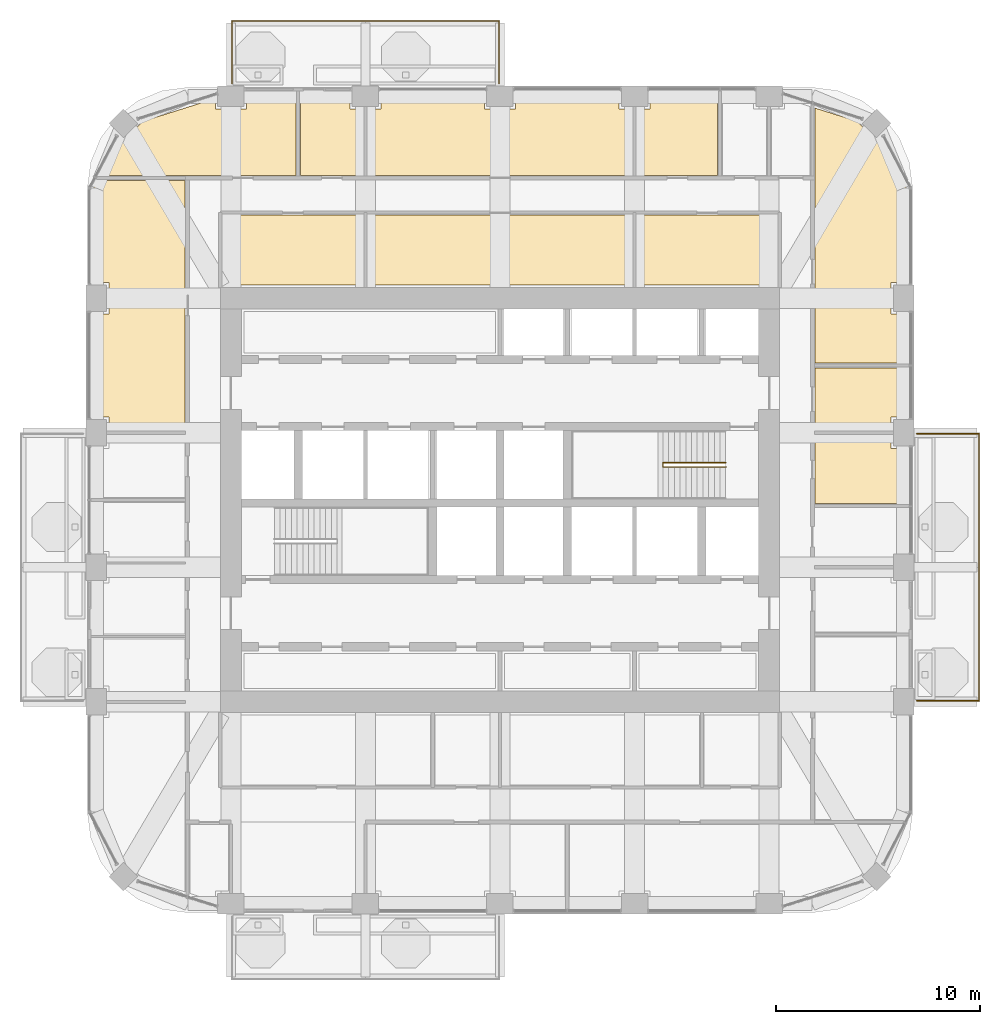
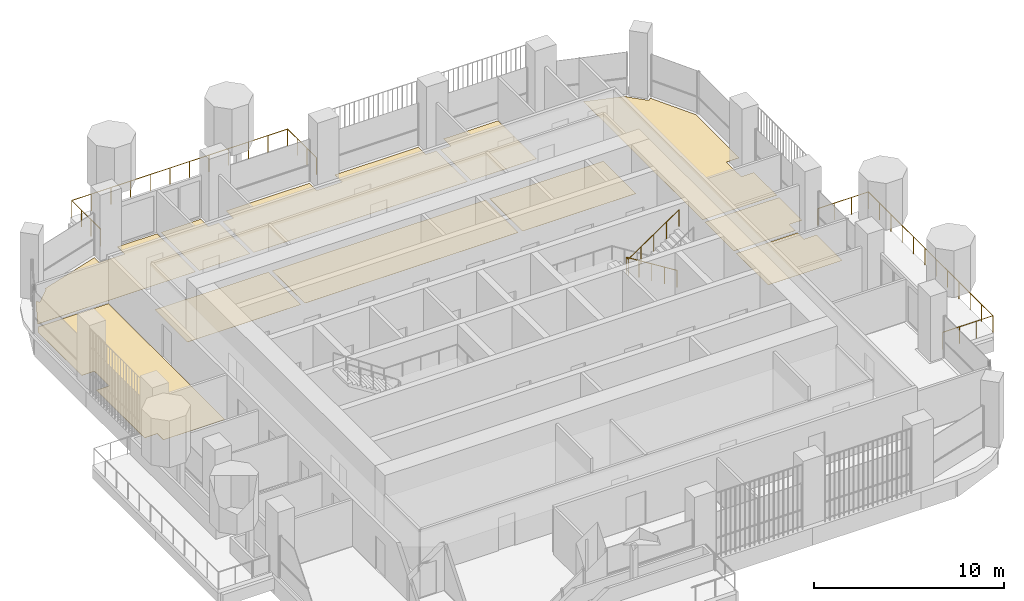
# One storey, part 18 of 20: 11 coverings, 3 railings.
"""IFC4 building model written with IfcOpenShell, lengths in metres."""

from ifc_helpers import new_model, si_unit, direction, frame, origin, place, context, subcontext, project, spatial, polyline, outline, extrude, material, layer, layer_set, type_object, element, save


model = new_model("IFC4")

# Units and contexts
model_context = context("Model", 3, precision=1e-05, world=origin(), true_north=direction((0.0, 1.0)))
body_context = subcontext(model_context, "Body", "Model", "MODEL_VIEW")
ifc_project = project(units=[si_unit("LENGTHUNIT", "METRE"), si_unit("AREAUNIT", "SQUARE_METRE"), si_unit("VOLUMEUNIT", "CUBIC_METRE"), si_unit("PLANEANGLEUNIT", "RADIAN"), si_unit("MASSUNIT", "GRAM", prefix="KILO")], contexts=[model_context])

# Site, building, storey
site_placement = place(None, origin())
site = spatial("IfcSite", under=ifc_project, at=site_placement, CompositionType="ELEMENT")
building_placement = place(site_placement, origin())
building = spatial("IfcBuilding", under=site, at=building_placement, Name="Cobogo Forest Laboratory Tower", CompositionType="ELEMENT")
storey_placement = place(building_placement, frame((0.0, 0.0, 254.39990234375)))
storey = spatial("IfcBuildingStorey", under=building, at=storey_placement, Name="L58", CompositionType="ELEMENT", Elevation=254.39990234375)

# Railings
ifc_material_1 = material(Name="Laminated glass balustrade", Category="glass")
railing_type_1 = type_object("IfcRailingType", Name="BG1 glass balustrade 1100", PredefinedType="GUARDRAIL", material=ifc_material_1)
railing_1_placement = place(storey_placement, frame((46.85009765625, 13.25, 0.0)))
element("IfcRailing", 1, at=railing_1_placement, inside=storey, type_object=railing_type_1, Name="Balcony balustrade BAL-E1 L58", PredefinedType="GUARDRAIL", context=body_context, shape_type="SweptSolid", body=[
    extrude(outline(polyline([(0.022216796875, 0.00927734375), (0.00927734375, 0.022216796875), (-0.00927734375, 0.022216796875), (-0.022216796875, 0.00927734375), (-0.022216796875, -0.00927734375), (-0.00927734375, -0.022216796875), (0.00927734375, -0.022216796875), (0.022216796875, -0.00927734375), (0.022216796875, 0.00927734375)])), frame((0.0, 0.0, 1.077880859375), z_axis=(1.0, 0.0, 0.0), x_axis=(0.0, 1.0, 0.0)), (0.0, 0.0, 1.0), 3.0498046875),
    extrude(outline(polyline([(0.022216796875, 0.00927734375), (0.00927734375, 0.022216796875), (-0.00927734375, 0.022216796875), (-0.022216796875, 0.00927734375), (-0.022216796875, -0.00927734375), (-0.00927734375, -0.022216796875), (0.00927734375, -0.022216796875), (0.022216796875, -0.00927734375), (0.022216796875, 0.00927734375)])), frame((3.0498046875, 0.0, 1.077880859375), z_axis=(0.0, 1.0, 0.0), x_axis=(-1.0, 0.0, 0.0)), (0.0, 0.0, 1.0), 13.10009765625),
    extrude(outline(polyline([(0.022216796875, 0.00927734375), (0.00927734375, 0.022216796875), (-0.00927734375, 0.022216796875), (-0.022216796875, 0.00927734375), (-0.022216796875, -0.00927734375), (-0.00927734375, -0.022216796875), (0.00927734375, -0.022216796875), (0.022216796875, -0.00927734375), (0.022216796875, 0.00927734375)])), frame((3.0498046875, 13.10009765625, 1.077880859375), z_axis=(-1.0, 0.0, 0.0), x_axis=(0.0, -1.0, 0.0)), (0.0, 0.0, 1.0), 3.0498046875),
    extrude(outline(polyline([(0.019287109375, 0.008056640625), (0.008056640625, 0.019287109375), (-0.008056640625, 0.019287109375), (-0.019287109375, 0.008056640625), (-0.019287109375, -0.008056640625), (-0.008056640625, -0.019287109375), (0.008056640625, -0.019287109375), (0.019287109375, -0.008056640625), (0.019287109375, 0.008056640625)])), origin(), (0.0, 0.0, 1.0), 1.077880859375),
    extrude(outline(polyline([(0.019287109375, 0.008056640625), (0.008056640625, 0.019287109375), (-0.008056640625, 0.019287109375), (-0.019287109375, 0.008056640625), (-0.019287109375, -0.008056640625), (-0.008056640625, -0.019287109375), (0.008056640625, -0.019287109375), (0.019287109375, -0.008056640625), (0.019287109375, 0.008056640625)])), frame((1.0166015625, 0.0, 0.0)), (0.0, 0.0, 1.0), 1.077880859375),
    extrude(outline(polyline([(0.019287109375, 0.008056640625), (0.008056640625, 0.019287109375), (-0.008056640625, 0.019287109375), (-0.019287109375, 0.008056640625), (-0.019287109375, -0.008056640625), (-0.008056640625, -0.019287109375), (0.008056640625, -0.019287109375), (0.019287109375, -0.008056640625), (0.019287109375, 0.008056640625)])), frame((2.033203125, 0.0, 0.0)), (0.0, 0.0, 1.0), 1.077880859375),
    extrude(outline(polyline([(0.019287109375, 0.008056640625), (0.008056640625, 0.019287109375), (-0.008056640625, 0.019287109375), (-0.019287109375, 0.008056640625), (-0.019287109375, -0.008056640625), (-0.008056640625, -0.019287109375), (0.008056640625, -0.019287109375), (0.019287109375, -0.008056640625), (0.019287109375, 0.008056640625)])), frame((3.0498046875, 0.0, 0.0)), (0.0, 0.0, 1.0), 1.077880859375),
    extrude(outline(polyline([(0.019287109375, 0.008056640625), (0.008056640625, 0.019287109375), (-0.008056640625, 0.019287109375), (-0.019287109375, 0.008056640625), (-0.019287109375, -0.008056640625), (-0.008056640625, -0.019287109375), (0.008056640625, -0.019287109375), (0.019287109375, -0.008056640625), (0.019287109375, 0.008056640625)])), frame((3.0498046875, 1.19091796875, 0.0)), (0.0, 0.0, 1.0), 1.077880859375),
    extrude(outline(polyline([(0.019287109375, 0.008056640625), (0.008056640625, 0.019287109375), (-0.008056640625, 0.019287109375), (-0.019287109375, 0.008056640625), (-0.019287109375, -0.008056640625), (-0.008056640625, -0.019287109375), (0.008056640625, -0.019287109375), (0.019287109375, -0.008056640625), (0.019287109375, 0.008056640625)])), frame((3.0498046875, 2.3818359375, 0.0)), (0.0, 0.0, 1.0), 1.077880859375),
    extrude(outline(polyline([(0.019287109375, 0.008056640625), (0.008056640625, 0.019287109375), (-0.008056640625, 0.019287109375), (-0.019287109375, 0.008056640625), (-0.019287109375, -0.008056640625), (-0.008056640625, -0.019287109375), (0.008056640625, -0.019287109375), (0.019287109375, -0.008056640625), (0.019287109375, 0.008056640625)])), frame((3.0498046875, 3.57275390625, 0.0)), (0.0, 0.0, 1.0), 1.077880859375),
    extrude(outline(polyline([(0.019287109375, 0.008056640625), (0.008056640625, 0.019287109375), (-0.008056640625, 0.019287109375), (-0.019287109375, 0.008056640625), (-0.019287109375, -0.008056640625), (-0.008056640625, -0.019287109375), (0.008056640625, -0.019287109375), (0.019287109375, -0.008056640625), (0.019287109375, 0.008056640625)])), frame((3.0498046875, 4.763671875, 0.0)), (0.0, 0.0, 1.0), 1.077880859375),
    extrude(outline(polyline([(0.019287109375, 0.008056640625), (0.008056640625, 0.019287109375), (-0.008056640625, 0.019287109375), (-0.019287109375, 0.008056640625), (-0.019287109375, -0.008056640625), (-0.008056640625, -0.019287109375), (0.008056640625, -0.019287109375), (0.019287109375, -0.008056640625), (0.019287109375, 0.008056640625)])), frame((3.0498046875, 5.95458984375, 0.0)), (0.0, 0.0, 1.0), 1.077880859375),
    extrude(outline(polyline([(0.019287109375, 0.008056640625), (0.008056640625, 0.019287109375), (-0.008056640625, 0.019287109375), (-0.019287109375, 0.008056640625), (-0.019287109375, -0.008056640625), (-0.008056640625, -0.019287109375), (0.008056640625, -0.019287109375), (0.019287109375, -0.008056640625), (0.019287109375, 0.008056640625)])), frame((3.0498046875, 7.1455078125, 0.0)), (0.0, 0.0, 1.0), 1.077880859375),
    extrude(outline(polyline([(0.019287109375, 0.008056640625), (0.008056640625, 0.019287109375), (-0.008056640625, 0.019287109375), (-0.019287109375, 0.008056640625), (-0.019287109375, -0.008056640625), (-0.008056640625, -0.019287109375), (0.008056640625, -0.019287109375), (0.019287109375, -0.008056640625), (0.019287109375, 0.008056640625)])), frame((3.0498046875, 8.33642578125, 0.0)), (0.0, 0.0, 1.0), 1.077880859375),
    extrude(outline(polyline([(0.019287109375, 0.008056640625), (0.008056640625, 0.019287109375), (-0.008056640625, 0.019287109375), (-0.019287109375, 0.008056640625), (-0.019287109375, -0.008056640625), (-0.008056640625, -0.019287109375), (0.008056640625, -0.019287109375), (0.019287109375, -0.008056640625), (0.019287109375, 0.008056640625)])), frame((3.0498046875, 9.52734375, 0.0)), (0.0, 0.0, 1.0), 1.077880859375),
    extrude(outline(polyline([(0.019287109375, 0.008056640625), (0.008056640625, 0.019287109375), (-0.008056640625, 0.019287109375), (-0.019287109375, 0.008056640625), (-0.019287109375, -0.008056640625), (-0.008056640625, -0.019287109375), (0.008056640625, -0.019287109375), (0.019287109375, -0.008056640625), (0.019287109375, 0.008056640625)])), frame((3.0498046875, 10.71826171875, 0.0)), (0.0, 0.0, 1.0), 1.077880859375),
    extrude(outline(polyline([(0.019287109375, 0.008056640625), (0.008056640625, 0.019287109375), (-0.008056640625, 0.019287109375), (-0.019287109375, 0.008056640625), (-0.019287109375, -0.008056640625), (-0.008056640625, -0.019287109375), (0.008056640625, -0.019287109375), (0.019287109375, -0.008056640625), (0.019287109375, 0.008056640625)])), frame((3.0498046875, 11.9091796875, 0.0)), (0.0, 0.0, 1.0), 1.077880859375),
    extrude(outline(polyline([(0.019287109375, 0.008056640625), (0.008056640625, 0.019287109375), (-0.008056640625, 0.019287109375), (-0.019287109375, 0.008056640625), (-0.019287109375, -0.008056640625), (-0.008056640625, -0.019287109375), (0.008056640625, -0.019287109375), (0.019287109375, -0.008056640625), (0.019287109375, 0.008056640625)])), frame((3.0498046875, 13.10009765625, 0.0)), (0.0, 0.0, 1.0), 1.077880859375),
    extrude(outline(polyline([(0.019287109375, 0.008056640625), (0.008056640625, 0.019287109375), (-0.008056640625, 0.019287109375), (-0.019287109375, 0.008056640625), (-0.019287109375, -0.008056640625), (-0.008056640625, -0.019287109375), (0.008056640625, -0.019287109375), (0.019287109375, -0.008056640625), (0.019287109375, 0.008056640625)])), frame((2.033203125, 13.10009765625, 0.0)), (0.0, 0.0, 1.0), 1.077880859375),
    extrude(outline(polyline([(0.019287109375, 0.008056640625), (0.008056640625, 0.019287109375), (-0.008056640625, 0.019287109375), (-0.019287109375, 0.008056640625), (-0.019287109375, -0.008056640625), (-0.008056640625, -0.019287109375), (0.008056640625, -0.019287109375), (0.019287109375, -0.008056640625), (0.019287109375, 0.008056640625)])), frame((1.0166015625, 13.10009765625, 0.0)), (0.0, 0.0, 1.0), 1.077880859375),
    extrude(outline(polyline([(0.019287109375, 0.008056640625), (0.008056640625, 0.019287109375), (-0.008056640625, 0.019287109375), (-0.019287109375, 0.008056640625), (-0.019287109375, -0.008056640625), (-0.008056640625, -0.019287109375), (0.008056640625, -0.019287109375), (0.019287109375, -0.008056640625), (0.019287109375, 0.008056640625)])), frame((0.0, 13.10009765625, 0.0)), (0.0, 0.0, 1.0), 1.077880859375),
])
railing_2_placement = place(storey_placement, frame((13.25, 43.550048828125, 0.0)))
element("IfcRailing", 2, at=railing_2_placement, inside=storey, type_object=railing_type_1, Name="Balcony balustrade BAL-N1 L58", PredefinedType="GUARDRAIL", context=body_context, shape_type="SweptSolid", body=[
    extrude(outline(polyline([(0.022216796875, 0.00927734375), (0.00927734375, 0.022216796875), (-0.00927734375, 0.022216796875), (-0.022216796875, 0.00927734375), (-0.022216796875, -0.00927734375), (-0.00927734375, -0.022216796875), (0.00927734375, -0.022216796875), (0.022216796875, -0.00927734375), (0.022216796875, 0.00927734375)])), frame((0.0, 0.0, 1.077880859375), z_axis=(0.0, 1.0, 0.0), x_axis=(-1.0, 0.0, 0.0)), (0.0, 0.0, 1.0), 3.050048828125),
    extrude(outline(polyline([(0.022216796875, 0.00927734375), (0.00927734375, 0.022216796875), (-0.00927734375, 0.022216796875), (-0.022216796875, 0.00927734375), (-0.022216796875, -0.00927734375), (-0.00927734375, -0.022216796875), (0.00927734375, -0.022216796875), (0.022216796875, -0.00927734375), (0.022216796875, 0.00927734375)])), frame((0.0, 3.050048828125, 1.077880859375), z_axis=(1.0, 0.0, 0.0), x_axis=(0.0, 1.0, 0.0)), (0.0, 0.0, 1.0), 13.10009765625),
    extrude(outline(polyline([(0.022216796875, 0.00927734375), (0.00927734375, 0.022216796875), (-0.00927734375, 0.022216796875), (-0.022216796875, 0.00927734375), (-0.022216796875, -0.00927734375), (-0.00927734375, -0.022216796875), (0.00927734375, -0.022216796875), (0.022216796875, -0.00927734375), (0.022216796875, 0.00927734375)])), frame((13.10009765625, 3.050048828125, 1.077880859375), z_axis=(0.0, -1.0, 0.0), x_axis=(1.0, 0.0, 0.0)), (0.0, 0.0, 1.0), 3.050048828125),
    extrude(outline(polyline([(0.019287109375, 0.008056640625), (0.008056640625, 0.019287109375), (-0.008056640625, 0.019287109375), (-0.019287109375, 0.008056640625), (-0.019287109375, -0.008056640625), (-0.008056640625, -0.019287109375), (0.008056640625, -0.019287109375), (0.019287109375, -0.008056640625), (0.019287109375, 0.008056640625)])), origin(), (0.0, 0.0, 1.0), 1.077880859375),
    extrude(outline(polyline([(0.019287109375, 0.008056640625), (0.008056640625, 0.019287109375), (-0.008056640625, 0.019287109375), (-0.019287109375, 0.008056640625), (-0.019287109375, -0.008056640625), (-0.008056640625, -0.019287109375), (0.008056640625, -0.019287109375), (0.019287109375, -0.008056640625), (0.019287109375, 0.008056640625)])), frame((0.0, 1.0166015625, 0.0)), (0.0, 0.0, 1.0), 1.077880859375),
    extrude(outline(polyline([(0.019287109375, 0.008056640625), (0.008056640625, 0.019287109375), (-0.008056640625, 0.019287109375), (-0.019287109375, 0.008056640625), (-0.019287109375, -0.008056640625), (-0.008056640625, -0.019287109375), (0.008056640625, -0.019287109375), (0.019287109375, -0.008056640625), (0.019287109375, 0.008056640625)])), frame((0.0, 2.033447265625, 0.0)), (0.0, 0.0, 1.0), 1.077880859375),
    extrude(outline(polyline([(0.019287109375, 0.008056640625), (0.008056640625, 0.019287109375), (-0.008056640625, 0.019287109375), (-0.019287109375, 0.008056640625), (-0.019287109375, -0.008056640625), (-0.008056640625, -0.019287109375), (0.008056640625, -0.019287109375), (0.019287109375, -0.008056640625), (0.019287109375, 0.008056640625)])), frame((0.0, 3.050048828125, 0.0)), (0.0, 0.0, 1.0), 1.077880859375),
    extrude(outline(polyline([(0.019287109375, 0.008056640625), (0.008056640625, 0.019287109375), (-0.008056640625, 0.019287109375), (-0.019287109375, 0.008056640625), (-0.019287109375, -0.008056640625), (-0.008056640625, -0.019287109375), (0.008056640625, -0.019287109375), (0.019287109375, -0.008056640625), (0.019287109375, 0.008056640625)])), frame((1.19091796875, 3.050048828125, 0.0)), (0.0, 0.0, 1.0), 1.077880859375),
    extrude(outline(polyline([(0.019287109375, 0.008056640625), (0.008056640625, 0.019287109375), (-0.008056640625, 0.019287109375), (-0.019287109375, 0.008056640625), (-0.019287109375, -0.008056640625), (-0.008056640625, -0.019287109375), (0.008056640625, -0.019287109375), (0.019287109375, -0.008056640625), (0.019287109375, 0.008056640625)])), frame((2.3818359375, 3.050048828125, 0.0)), (0.0, 0.0, 1.0), 1.077880859375),
    extrude(outline(polyline([(0.019287109375, 0.008056640625), (0.008056640625, 0.019287109375), (-0.008056640625, 0.019287109375), (-0.019287109375, 0.008056640625), (-0.019287109375, -0.008056640625), (-0.008056640625, -0.019287109375), (0.008056640625, -0.019287109375), (0.019287109375, -0.008056640625), (0.019287109375, 0.008056640625)])), frame((3.57275390625, 3.050048828125, 0.0)), (0.0, 0.0, 1.0), 1.077880859375),
    extrude(outline(polyline([(0.019287109375, 0.008056640625), (0.008056640625, 0.019287109375), (-0.008056640625, 0.019287109375), (-0.019287109375, 0.008056640625), (-0.019287109375, -0.008056640625), (-0.008056640625, -0.019287109375), (0.008056640625, -0.019287109375), (0.019287109375, -0.008056640625), (0.019287109375, 0.008056640625)])), frame((4.763671875, 3.050048828125, 0.0)), (0.0, 0.0, 1.0), 1.077880859375),
    extrude(outline(polyline([(0.019287109375, 0.008056640625), (0.008056640625, 0.019287109375), (-0.008056640625, 0.019287109375), (-0.019287109375, 0.008056640625), (-0.019287109375, -0.008056640625), (-0.008056640625, -0.019287109375), (0.008056640625, -0.019287109375), (0.019287109375, -0.008056640625), (0.019287109375, 0.008056640625)])), frame((5.95458984375, 3.050048828125, 0.0)), (0.0, 0.0, 1.0), 1.077880859375),
    extrude(outline(polyline([(0.019287109375, 0.008056640625), (0.008056640625, 0.019287109375), (-0.008056640625, 0.019287109375), (-0.019287109375, 0.008056640625), (-0.019287109375, -0.008056640625), (-0.008056640625, -0.019287109375), (0.008056640625, -0.019287109375), (0.019287109375, -0.008056640625), (0.019287109375, 0.008056640625)])), frame((7.1455078125, 3.050048828125, 0.0)), (0.0, 0.0, 1.0), 1.077880859375),
    extrude(outline(polyline([(0.019287109375, 0.008056640625), (0.008056640625, 0.019287109375), (-0.008056640625, 0.019287109375), (-0.019287109375, 0.008056640625), (-0.019287109375, -0.008056640625), (-0.008056640625, -0.019287109375), (0.008056640625, -0.019287109375), (0.019287109375, -0.008056640625), (0.019287109375, 0.008056640625)])), frame((8.33642578125, 3.050048828125, 0.0)), (0.0, 0.0, 1.0), 1.077880859375),
    extrude(outline(polyline([(0.019287109375, 0.008056640625), (0.008056640625, 0.019287109375), (-0.008056640625, 0.019287109375), (-0.019287109375, 0.008056640625), (-0.019287109375, -0.008056640625), (-0.008056640625, -0.019287109375), (0.008056640625, -0.019287109375), (0.019287109375, -0.008056640625), (0.019287109375, 0.008056640625)])), frame((9.52734375, 3.050048828125, 0.0)), (0.0, 0.0, 1.0), 1.077880859375),
    extrude(outline(polyline([(0.019287109375, 0.008056640625), (0.008056640625, 0.019287109375), (-0.008056640625, 0.019287109375), (-0.019287109375, 0.008056640625), (-0.019287109375, -0.008056640625), (-0.008056640625, -0.019287109375), (0.008056640625, -0.019287109375), (0.019287109375, -0.008056640625), (0.019287109375, 0.008056640625)])), frame((10.71826171875, 3.050048828125, 0.0)), (0.0, 0.0, 1.0), 1.077880859375),
    extrude(outline(polyline([(0.019287109375, 0.008056640625), (0.008056640625, 0.019287109375), (-0.008056640625, 0.019287109375), (-0.019287109375, 0.008056640625), (-0.019287109375, -0.008056640625), (-0.008056640625, -0.019287109375), (0.008056640625, -0.019287109375), (0.019287109375, -0.008056640625), (0.019287109375, 0.008056640625)])), frame((11.9091796875, 3.050048828125, 0.0)), (0.0, 0.0, 1.0), 1.077880859375),
    extrude(outline(polyline([(0.019287109375, 0.008056640625), (0.008056640625, 0.019287109375), (-0.008056640625, 0.019287109375), (-0.019287109375, 0.008056640625), (-0.019287109375, -0.008056640625), (-0.008056640625, -0.019287109375), (0.008056640625, -0.019287109375), (0.019287109375, -0.008056640625), (0.019287109375, 0.008056640625)])), frame((13.10009765625, 3.050048828125, 0.0)), (0.0, 0.0, 1.0), 1.077880859375),
    extrude(outline(polyline([(0.019287109375, 0.008056640625), (0.008056640625, 0.019287109375), (-0.008056640625, 0.019287109375), (-0.019287109375, 0.008056640625), (-0.019287109375, -0.008056640625), (-0.008056640625, -0.019287109375), (0.008056640625, -0.019287109375), (0.019287109375, -0.008056640625), (0.019287109375, 0.008056640625)])), frame((13.10009765625, 2.033447265625, 0.0)), (0.0, 0.0, 1.0), 1.077880859375),
    extrude(outline(polyline([(0.019287109375, 0.008056640625), (0.008056640625, 0.019287109375), (-0.008056640625, 0.019287109375), (-0.019287109375, 0.008056640625), (-0.019287109375, -0.008056640625), (-0.008056640625, -0.019287109375), (0.008056640625, -0.019287109375), (0.019287109375, -0.008056640625), (0.019287109375, 0.008056640625)])), frame((13.10009765625, 1.0166015625, 0.0)), (0.0, 0.0, 1.0), 1.077880859375),
    extrude(outline(polyline([(0.019287109375, 0.008056640625), (0.008056640625, 0.019287109375), (-0.008056640625, 0.019287109375), (-0.019287109375, 0.008056640625), (-0.019287109375, -0.008056640625), (-0.008056640625, -0.019287109375), (0.008056640625, -0.019287109375), (0.019287109375, -0.008056640625), (0.019287109375, 0.008056640625)])), frame((13.10009765625, 0.0, 0.0)), (0.0, 0.0, 1.0), 1.077880859375),
])

# Coverings
ifc_material_2 = material(Name="Carpet tile on raised access floor", Category="flooring")
ifc_layer_1 = layer(ifc_material_2, 0.008056640625)
ifc_layer_set_1 = layer_set([ifc_layer_1], Name="CT1 carpet tile floor 8")
covering_type_1 = type_object("IfcCoveringType", Name="CT1 carpet tile floor 8", PredefinedType="FLOORING", material=ifc_layer_set_1)
covering_1_placement = place(storey_placement, origin())
element("IfcCovering", 3, at=covering_1_placement, inside=storey, type_object=covering_type_1, Name="Carpet floor L58-01", PredefinedType="FLOORING", context=body_context, shape_type="SweptSolid", body=[
    extrude(outline(polyline([(19.679931640625, 33.64501953125), (12.794921875, 33.64501953125), (12.794921875, 37.080078125), (19.679931640625, 37.080078125), (19.679931640625, 33.64501953125)])), origin(), (0.0, 0.0, 1.0), 0.008056640625),
])
covering_2_placement = place(storey_placement, origin())
element("IfcCovering", 4, at=covering_2_placement, inside=storey, type_object=covering_type_1, Name="Carpet floor L58-02", PredefinedType="FLOORING", context=body_context, shape_type="SweptSolid", body=[
    extrude(outline(polyline([(32.8798828125, 33.64501953125), (19.919921875, 33.64501953125), (19.919921875, 37.080078125), (32.8798828125, 37.080078125), (32.8798828125, 33.64501953125)])), origin(), (0.0, 0.0, 1.0), 0.008056640625),
])
covering_3_placement = place(storey_placement, origin())
element("IfcCovering", 5, at=covering_3_placement, inside=storey, type_object=covering_type_1, Name="Carpet floor L58-03", PredefinedType="FLOORING", context=body_context, shape_type="SweptSolid", body=[
    extrude(outline(polyline([(40.0048828125, 33.64501953125), (33.1201171875, 33.64501953125), (33.1201171875, 37.080078125), (40.0048828125, 37.080078125), (40.0048828125, 33.64501953125)])), origin(), (0.0, 0.0, 1.0), 0.008056640625),
])
covering_4_placement = place(storey_placement, origin())
element("IfcCovering", 6, at=covering_4_placement, inside=storey, type_object=covering_type_1, Name="Carpet floor L58-17", PredefinedType="FLOORING", context=body_context, shape_type="SweptSolid", body=[
    extrude(outline(polyline([(6.80078125, 39.02001953125), (7.7646484375, 40.858642578125), (7.91796875, 40.705078125), (8.794921875, 41.58203125), (8.743896484375, 41.633056640625), (12.429931640625, 42.797119140625), (12.429931640625, 42.280029296875), (13.969970703125, 42.280029296875), (13.969970703125, 43.050048828125), (16.3798828125, 43.050048828125), (16.3798828125, 39.02001953125), (6.80078125, 39.02001953125)])), origin(), (0.0, 0.0, 1.0), 0.008056640625),
])
covering_5_placement = place(storey_placement, origin())
element("IfcCovering", 7, at=covering_5_placement, inside=storey, type_object=covering_type_1, Name="Carpet floor L58-18", PredefinedType="FLOORING", context=body_context, shape_type="SweptSolid", body=[
    extrude(outline(polyline([(16.6201171875, 39.02001953125), (16.6201171875, 43.050048828125), (19.030029296875, 43.050048828125), (19.030029296875, 42.280029296875), (19.679931640625, 42.280029296875), (19.679931640625, 39.02001953125), (16.6201171875, 39.02001953125)])), origin(), (0.0, 0.0, 1.0), 0.008056640625),
])
covering_6_placement = place(storey_placement, origin())
element("IfcCovering", 8, at=covering_6_placement, inside=storey, type_object=covering_type_1, Name="Carpet floor L58-19", PredefinedType="FLOORING", context=body_context, shape_type="SweptSolid", body=[
    extrude(outline(polyline([(19.919921875, 39.02001953125), (19.919921875, 42.280029296875), (20.570068359375, 42.280029296875), (20.570068359375, 43.050048828125), (25.6298828125, 43.050048828125), (25.6298828125, 42.280029296875), (27.169921875, 42.280029296875), (27.169921875, 43.050048828125), (32.22998046875, 43.050048828125), (32.22998046875, 42.280029296875), (32.8798828125, 42.280029296875), (32.8798828125, 39.02001953125), (19.919921875, 39.02001953125)])), origin(), (0.0, 0.0, 1.0), 0.008056640625),
])
covering_7_placement = place(storey_placement, origin())
element("IfcCovering", 9, at=covering_7_placement, inside=storey, type_object=covering_type_1, Name="Carpet floor L58-20", PredefinedType="FLOORING", context=body_context, shape_type="SweptSolid", body=[
    extrude(outline(polyline([(33.1201171875, 39.02001953125), (33.1201171875, 42.280029296875), (33.77001953125, 42.280029296875), (33.77001953125, 43.050048828125), (37.080078125, 43.050048828125), (37.080078125, 39.02001953125), (33.1201171875, 39.02001953125)])), origin(), (0.0, 0.0, 1.0), 0.008056640625),
])
covering_8_placement = place(storey_placement, origin())
element("IfcCovering", 10, at=covering_8_placement, inside=storey, type_object=covering_type_1, Name="Carpet floor L58-28", PredefinedType="FLOORING", context=body_context, shape_type="SweptSolid", body=[
    extrude(outline(polyline([(10.955078125, 26.52001953125), (7.219970703125, 26.52001953125), (7.219970703125, 27.169921875), (6.449951171875, 27.169921875), (6.449951171875, 32.22998046875), (7.219970703125, 32.22998046875), (7.219970703125, 33.77001953125), (6.449951171875, 33.77001953125), (6.449951171875, 38.350830078125), (6.675048828125, 38.780029296875), (10.955078125, 38.780029296875), (10.955078125, 26.52001953125)])), origin(), (0.0, 0.0, 1.0), 0.008056640625),
])

# Railing
ifc_material_3 = material(Name="Steel balustrade", Category="steel")
railing_type_2 = type_object("IfcRailingType", Name="GR stair guard 1100", PredefinedType="GUARDRAIL", material=ifc_material_3)
railing_3_placement = place(storey_placement, frame((37.47509765625, 24.929931640625, 0.175048828125)))
element("IfcRailing", 11, at=railing_3_placement, inside=storey, type_object=railing_type_2, Name="Stair guard ST2 L58", PredefinedType="GUARDRAIL", context=body_context, shape_type="SweptSolid", body=[
    extrude(outline(polyline([(0.022216796875, 0.00927734375), (0.00927734375, 0.022216796875), (-0.00927734375, 0.022216796875), (-0.022216796875, 0.00927734375), (-0.022216796875, -0.00927734375), (-0.00927734375, -0.022216796875), (0.00927734375, -0.022216796875), (0.022216796875, -0.00927734375), (0.022216796875, 0.00927734375)])), frame((0.0, 0.0, 1.077880859375), z_axis=(-0.847998304005, 0.0, 0.529998940003), x_axis=(0.0, -1.0, 0.0)), (0.0, 0.0, 1.0), 3.632080078125),
    extrude(outline(polyline([(0.022216796875, 0.00927734375), (0.00927734375, 0.022216796875), (-0.00927734375, 0.022216796875), (-0.022216796875, 0.00927734375), (-0.022216796875, -0.00927734375), (-0.00927734375, -0.022216796875), (0.00927734375, -0.022216796875), (0.022216796875, -0.00927734375), (0.022216796875, 0.00927734375)])), frame((-3.080078125, 0.0, 3.0029296875), z_axis=(0.0, -1.0, 0.0), x_axis=(1.0, 0.0, 0.0)), (0.0, 0.0, 1.0), 0.2099609375),
    extrude(outline(polyline([(0.022216796875, 0.00927734375), (0.00927734375, 0.022216796875), (-0.00927734375, 0.022216796875), (-0.022216796875, 0.00927734375), (-0.022216796875, -0.00927734375), (-0.00927734375, -0.022216796875), (0.00927734375, -0.022216796875), (0.022216796875, -0.00927734375), (0.022216796875, 0.00927734375)])), frame((-3.080078125, -0.2099609375, 3.0029296875), z_axis=(0.826221800596, 0.0, 0.563344953133), x_axis=(0.0, 1.0, 0.0)), (0.0, 0.0, 1.0), 3.72802734375),
    extrude(outline(polyline([(0.019287109375, 0.008056640625), (0.008056640625, 0.019287109375), (-0.008056640625, 0.019287109375), (-0.019287109375, 0.008056640625), (-0.019287109375, -0.008056640625), (-0.008056640625, -0.019287109375), (0.008056640625, -0.019287109375), (0.019287109375, -0.008056640625), (0.019287109375, 0.008056640625)])), origin(), (0.0, 0.0, 1.0), 1.077880859375),
    extrude(outline(polyline([(0.019287109375, 0.008056640625), (0.008056640625, 0.019287109375), (-0.008056640625, 0.019287109375), (-0.019287109375, 0.008056640625), (-0.019287109375, -0.008056640625), (-0.008056640625, -0.019287109375), (0.008056640625, -0.019287109375), (0.019287109375, -0.008056640625), (0.019287109375, 0.008056640625)])), frame((-0.77001953125, 0.0, 0.481201171875)), (0.0, 0.0, 1.0), 1.077880859375),
    extrude(outline(polyline([(0.019287109375, 0.008056640625), (0.008056640625, 0.019287109375), (-0.008056640625, 0.019287109375), (-0.019287109375, 0.008056640625), (-0.019287109375, -0.008056640625), (-0.008056640625, -0.019287109375), (0.008056640625, -0.019287109375), (0.019287109375, -0.008056640625), (0.019287109375, 0.008056640625)])), frame((-1.5400390625, 0.0, 0.96240234375)), (0.0, 0.0, 1.0), 1.077880859375),
    extrude(outline(polyline([(0.019287109375, 0.008056640625), (0.008056640625, 0.019287109375), (-0.008056640625, 0.019287109375), (-0.019287109375, 0.008056640625), (-0.019287109375, -0.008056640625), (-0.008056640625, -0.019287109375), (0.008056640625, -0.019287109375), (0.019287109375, -0.008056640625), (0.019287109375, 0.008056640625)])), frame((-2.31005859375, 0.0, 1.44384765625)), (0.0, 0.0, 1.0), 1.077880859375),
    extrude(outline(polyline([(0.019287109375, 0.008056640625), (0.008056640625, 0.019287109375), (-0.008056640625, 0.019287109375), (-0.019287109375, 0.008056640625), (-0.019287109375, -0.008056640625), (-0.008056640625, -0.019287109375), (0.008056640625, -0.019287109375), (0.019287109375, -0.008056640625), (0.019287109375, 0.008056640625)])), frame((-3.080078125, 0.0, 1.925048828125)), (0.0, 0.0, 1.0), 1.077880859375),
    extrude(outline(polyline([(0.019287109375, 0.008056640625), (0.008056640625, 0.019287109375), (-0.008056640625, 0.019287109375), (-0.019287109375, 0.008056640625), (-0.019287109375, -0.008056640625), (-0.008056640625, -0.019287109375), (0.008056640625, -0.019287109375), (0.019287109375, -0.008056640625), (0.019287109375, 0.008056640625)])), frame((-3.080078125, -0.2099609375, 1.925048828125)), (0.0, 0.0, 1.0), 1.077880859375),
    extrude(outline(polyline([(0.019287109375, 0.008056640625), (0.008056640625, 0.019287109375), (-0.008056640625, 0.019287109375), (-0.019287109375, 0.008056640625), (-0.019287109375, -0.008056640625), (-0.008056640625, -0.019287109375), (0.008056640625, -0.019287109375), (0.019287109375, -0.008056640625), (0.019287109375, 0.008056640625)])), frame((-2.31005859375, -0.2099609375, 2.4501953125)), (0.0, 0.0, 1.0), 1.077880859375),
    extrude(outline(polyline([(0.019287109375, 0.008056640625), (0.008056640625, 0.019287109375), (-0.008056640625, 0.019287109375), (-0.019287109375, 0.008056640625), (-0.019287109375, -0.008056640625), (-0.008056640625, -0.019287109375), (0.008056640625, -0.019287109375), (0.019287109375, -0.008056640625), (0.019287109375, 0.008056640625)])), frame((-1.5400390625, -0.2099609375, 2.97509765625)), (0.0, 0.0, 1.0), 1.077880859375),
    extrude(outline(polyline([(0.019287109375, 0.008056640625), (0.008056640625, 0.019287109375), (-0.008056640625, 0.019287109375), (-0.019287109375, 0.008056640625), (-0.019287109375, -0.008056640625), (-0.008056640625, -0.019287109375), (0.008056640625, -0.019287109375), (0.019287109375, -0.008056640625), (0.019287109375, 0.008056640625)])), frame((-0.77001953125, -0.2099609375, 3.5)), (0.0, 0.0, 1.0), 1.077880859375),
    extrude(outline(polyline([(0.019287109375, 0.008056640625), (0.008056640625, 0.019287109375), (-0.008056640625, 0.019287109375), (-0.019287109375, 0.008056640625), (-0.019287109375, -0.008056640625), (-0.008056640625, -0.019287109375), (0.008056640625, -0.019287109375), (0.019287109375, -0.008056640625), (0.019287109375, 0.008056640625)])), frame((0.0, -0.2099609375, 4.025146484375)), (0.0, 0.0, 1.0), 1.077880859375),
])

# Coverings
ifc_material_4 = material(Name="Epoxy resin flooring", Category="flooring")
ifc_layer_2 = layer(ifc_material_4, 0.00390625)
ifc_layer_set_2 = layer_set([ifc_layer_2], Name="LF1 epoxy laboratory floor 4")
covering_type_2 = type_object("IfcCoveringType", Name="LF1 epoxy laboratory floor 4", PredefinedType="FLOORING", material=ifc_layer_set_2)
covering_9_placement = place(storey_placement, origin())
element("IfcCovering", 12, at=covering_9_placement, inside=storey, type_object=covering_type_2, Name="Epoxy laboratory floor L58-15", PredefinedType="FLOORING", context=body_context, shape_type="SweptSolid", body=[
    extrude(outline(polyline([(41.844970703125, 29.580078125), (46.35009765625, 29.580078125), (46.35009765625, 27.169921875), (45.580078125, 27.169921875), (45.580078125, 26.52001953125), (41.844970703125, 26.52001953125), (41.844970703125, 29.580078125)])), origin(), (0.0, 0.0, 1.0), 0.004150390625),
])
covering_10_placement = place(storey_placement, origin())
element("IfcCovering", 13, at=covering_10_placement, inside=storey, type_object=covering_type_2, Name="Epoxy laboratory floor L58-16", PredefinedType="FLOORING", context=body_context, shape_type="SweptSolid", body=[
    extrude(outline(polyline([(41.844970703125, 42.331298828125), (44.05615234375, 41.633056640625), (44.005126953125, 41.58203125), (44.882080078125, 40.705078125), (45.035400390625, 40.858642578125), (46.35009765625, 38.350830078125), (46.35009765625, 33.77001953125), (45.580078125, 33.77001953125), (45.580078125, 32.22998046875), (46.35009765625, 32.22998046875), (46.35009765625, 29.820068359375), (41.844970703125, 29.820068359375), (41.844970703125, 42.331298828125)])), origin(), (0.0, 0.0, 1.0), 0.004150390625),
])
ifc_material_5 = material(Name="Static-dissipative vinyl flooring", Category="flooring")
ifc_layer_3 = layer(ifc_material_5, 0.0029296875)
ifc_layer_set_3 = layer_set([ifc_layer_3], Name="SD1 static-dissipative vinyl floor 3")
covering_type_3 = type_object("IfcCoveringType", Name="SD1 static-dissipative vinyl floor 3", PredefinedType="FLOORING", material=ifc_layer_set_3)
covering_11_placement = place(storey_placement, origin())
element("IfcCovering", 14, at=covering_11_placement, inside=storey, type_object=covering_type_3, Name="Static-dissipative floor L58-14", PredefinedType="FLOORING", context=body_context, shape_type="SweptSolid", body=[
    extrude(outline(polyline([(41.844970703125, 26.280029296875), (45.580078125, 26.280029296875), (45.580078125, 25.6298828125), (46.35009765625, 25.6298828125), (46.35009765625, 22.919921875), (41.844970703125, 22.919921875), (41.844970703125, 26.280029296875)])), origin(), (0.0, 0.0, 1.0), 0.003173828125),
])

save(model, "model.ifc")
